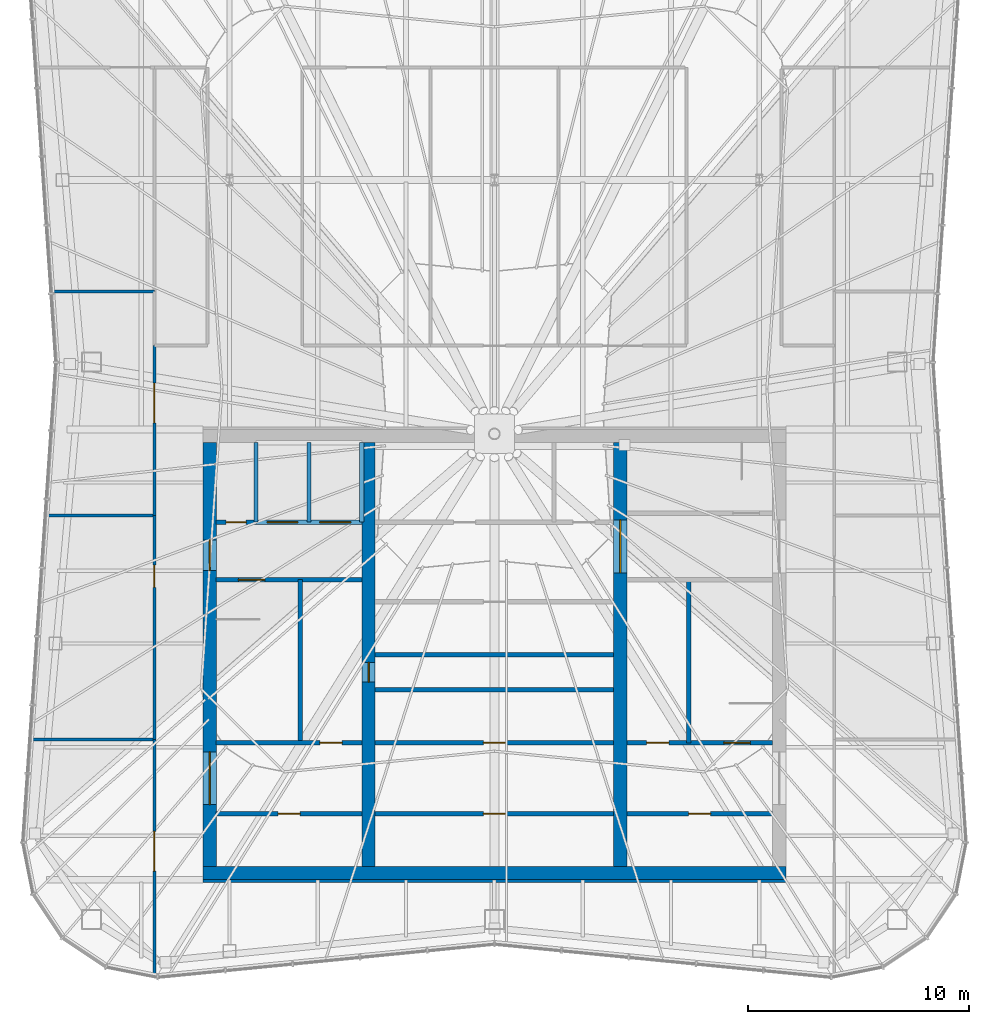
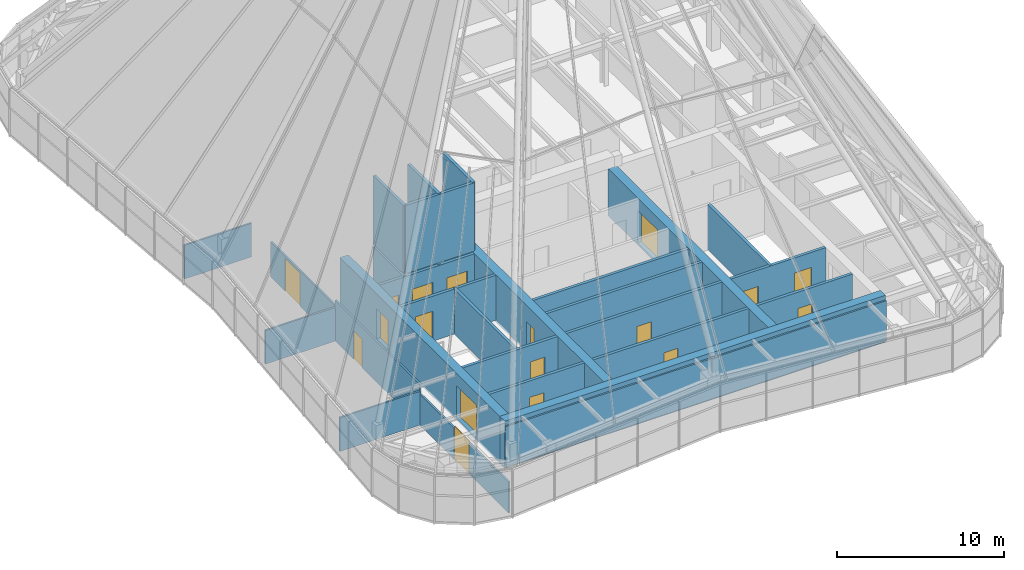
# One storey, part 24 of 28: 29 walls, 18 doors, 18 openings.
"""IFC4 building model written with IfcOpenShell, lengths in metres."""

import ifcopenshell
import ifcopenshell.guid

model = None  # the IFC model being written
_history = None  # IfcOwnerHistory: only IFC2X3 demands one
_inside = {}  # id of a spatial element -> (the spatial element, [elements in it])
_under = {}  # id of a project, library or spatial element -> (it, [spatial elements below it])
_declared = {}  # id of a project -> (the project, [libraries it declares])
_typed = {}  # id of a type object -> (the type object, [elements of that type])
_made_of = {}  # id of a material, layer set ... -> (it, [elements and type objects made of it])


def new_model(schema):
    """Start an empty IFC model of exactly this schema.

    Asked for "IFC4X3", IfcOpenShell would pick the latest addendum, in which some entities
    have other attributes; the version numbers below select the first issue.
    IFC2X3 requires an IfcOwnerHistory on every rooted entity: one is made here for all.
    """
    global model, _history
    if schema == "IFC4X3":
        model = ifcopenshell.file(schema_version=(4, 3, 0, 0))
    else:
        model = ifcopenshell.file(schema=schema)
    _inside.clear()
    _under.clear()
    _declared.clear()
    _typed.clear()
    _made_of.clear()
    _history = None
    if model.schema == "IFC2X3":
        org = make("IfcOrganization", Name="unknown")
        user = make(
            "IfcPersonAndOrganization",
            ThePerson=make("IfcPerson", FamilyName="unknown"),
            TheOrganization=org,
        )
        app = make(
            "IfcApplication",
            ApplicationDeveloper=org,
            Version="unknown",
            ApplicationFullName="unknown",
            ApplicationIdentifier="unknown",
        )
        _history = make(
            "IfcOwnerHistory",
            OwningUser=user,
            OwningApplication=app,
            ChangeAction="ADDED",
            CreationDate=0,
        )
    return model


def make(cls, **values):
    """One entity of the class cls with the attributes given. An attribute that is None is left unset."""
    return model.create_entity(
        cls, **{name: value for name, value in values.items() if value is not None}
    )


def rooted(cls, **values):
    """An entity with a GlobalId (a new one), such as an element, a storey or a relation."""
    return make(cls, GlobalId=ifcopenshell.guid.new(), OwnerHistory=_history, **values)


def si_unit(unit_type, name, prefix=None):
    """IfcSIUnit, for example si_unit("LENGTHUNIT", "METRE", prefix="MILLI")."""
    return make("IfcSIUnit", UnitType=unit_type, Prefix=prefix, Name=name)


def assignment(units):
    """IfcUnitAssignment: the units of a project."""
    return None if units is None else make("IfcUnitAssignment", Units=units)


def point(xyz):
    """IfcCartesianPoint."""
    return None if xyz is None else make("IfcCartesianPoint", Coordinates=xyz)


def direction(xyz):
    """IfcDirection."""
    return None if xyz is None else make("IfcDirection", DirectionRatios=xyz)


def frame(location, z_axis=None, x_axis=None):
    """IfcAxis2Placement3D, a coordinate frame: its origin and axes. An axis left out is left unset."""
    return make(
        "IfcAxis2Placement3D",
        Location=point(location),
        Axis=direction(z_axis),
        RefDirection=direction(x_axis),
    )


def frame_2d(location, x_axis=None):
    """IfcAxis2Placement2D, a coordinate frame in the plane: its origin and x axis."""
    return make(
        "IfcAxis2Placement2D", Location=point(location), RefDirection=direction(x_axis)
    )


def origin():
    """The frame at (0, 0, 0) with its axes left unset."""
    return frame((0.0, 0.0, 0.0))


def place(relative_to, where):
    """IfcLocalPlacement: puts the frame where relative to a parent placement (None: the world)."""
    return make(
        "IfcLocalPlacement", PlacementRelTo=relative_to, RelativePlacement=where
    )


def context(
    kind, dimensions, precision=None, world=None, true_north=None, identifier=None
):
    """IfcGeometricRepresentationContext, for example the 3D "Model" context."""
    return make(
        "IfcGeometricRepresentationContext",
        ContextIdentifier=identifier,
        ContextType=kind,
        CoordinateSpaceDimension=dimensions,
        Precision=precision,
        WorldCoordinateSystem=world,
        TrueNorth=true_north,
    )


def subcontext(parent, identifier, kind, view, scale=None):
    """IfcGeometricRepresentationSubContext, for example "Body" below "Model"."""
    return make(
        "IfcGeometricRepresentationSubContext",
        ContextIdentifier=identifier,
        ContextType=kind,
        ParentContext=parent,
        TargetScale=scale,
        TargetView=view,
    )


def project(units=None, contexts=None):
    """IfcProject with its units and contexts."""
    return rooted(
        "IfcProject",
        Name="project",
        RepresentationContexts=contexts,
        UnitsInContext=assignment(units),
    )


def spatial(cls, under=None, at=None, **own):
    """A site, building, storey or space (cls), placed at a placement, below another one or the project."""
    s = rooted(cls, ObjectPlacement=at, **own)
    if under is not None:
        _under.setdefault(under.id(), (under, []))[1].append(s)
    return s


def profile(cls, at=None, kind="AREA", **sizes):
    """A parametric profile (cls). Its sizes go by their IFC names, for example OverallWidth=200.0."""
    return make(cls, ProfileType=kind, Position=at, **sizes)


def rectangle(**sizes):
    """IfcRectangleProfileDef."""
    return profile("IfcRectangleProfileDef", **sizes)


def extrude(swept, where, along, depth):
    """IfcExtrudedAreaSolid: the profile swept, set in the frame where, extruded along a direction by depth."""
    return make(
        "IfcExtrudedAreaSolid",
        SweptArea=swept,
        Position=where,
        ExtrudedDirection=direction(along),
        Depth=depth,
    )


def shape(context_of_items, identifier, shape_type, items):
    """IfcShapeRepresentation: the items that make up one representation, for example the "Body"."""
    return make(
        "IfcShapeRepresentation",
        ContextOfItems=context_of_items,
        RepresentationIdentifier=identifier,
        RepresentationType=shape_type,
        Items=items,
    )


def material(Name=None, Category=None):
    """IfcMaterial."""
    return make("IfcMaterial", Name=Name, Category=Category)


def layer(
    of_material, thickness, ventilated=None, Name=None, Category=None, Priority=None
):
    """IfcMaterialLayer: one layer of a wall or slab, of a material (None: an air gap)."""
    return make(
        "IfcMaterialLayer",
        Material=of_material,
        LayerThickness=thickness,
        IsVentilated=ventilated,
        Name=Name,
        Category=Category,
        Priority=Priority,
    )


def layer_set(layers, Name=None):
    """IfcMaterialLayerSet."""
    return make("IfcMaterialLayerSet", MaterialLayers=layers, LayerSetName=Name)


def made_of(thing, what):
    """Note that an element or type object is made of a material, layer set ...; save() writes the relation."""
    if what is not None:
        _made_of.setdefault(what.id(), (what, []))[1].append(thing)
    return thing


def type_object(cls, material=None, **own):
    """A type object (cls), such as IfcWallType, which elements share."""
    return made_of(rooted(cls, **own), material)


def element(
    cls,
    number,
    at=None,
    inside=None,
    cuts=None,
    type_object=None,
    material=None,
    context=None,
    identifier="Body",
    shape_type=None,
    held_by="IfcProductDefinitionShape",
    body=None,
    shapes=None,
    **own,
):
    """One element of the class cls, such as IfcWall. Its Tag is "e" and its number.

    at: its placement. inside: the storey or other place that contains it. cuts: it is an
    opening in that element (IfcRelVoidsElement). A single representation is given by context,
    identifier, shape_type and body (its items); several are given by shapes. held_by: the class
    of the entity that holds the representations. save() writes the other relations.
    """
    e = rooted(cls, Tag="e%d" % number, ObjectPlacement=at, **own)
    if body is not None:
        shapes = [shape(context, identifier, shape_type, body)]
    if shapes is not None:
        e.Representation = make(held_by, Representations=shapes)
    if inside is not None:
        _inside.setdefault(inside.id(), (inside, []))[1].append(e)
    if cuts is not None:
        rooted(
            "IfcRelVoidsElement", RelatingBuildingElement=cuts, RelatedOpeningElement=e
        )
    if type_object is not None:
        _typed.setdefault(type_object.id(), (type_object, []))[1].append(e)
    return made_of(e, material)


def fill(opening, filler):
    """IfcRelFillsElement: the door or window that sits in an opening."""
    return rooted(
        "IfcRelFillsElement",
        RelatingOpeningElement=opening,
        RelatedBuildingElement=filler,
    )


def aggregate(whole, parts):
    """IfcRelAggregates: a whole, such as a stair, and the parts it consists of."""
    return rooted("IfcRelAggregates", RelatingObject=whole, RelatedObjects=parts)


def save(model, path):
    """Write the relations noted so far, then the file.

    IfcRelAggregates (storeys below a building ...), IfcRelContainedInSpatialStructure (elements
    in a storey), IfcRelDefinesByType, IfcRelAssociatesMaterial and IfcRelDeclares: one each for
    every whole, place, type object, material and project.
    """
    for whole, parts in _under.values():
        aggregate(whole, parts)
    for where, things in _inside.values():
        rooted(
            "IfcRelContainedInSpatialStructure",
            RelatedElements=things,
            RelatingStructure=where,
        )
    for kind, things in _typed.values():
        rooted("IfcRelDefinesByType", RelatedObjects=things, RelatingType=kind)
    for what, things in _made_of.values():
        rooted("IfcRelAssociatesMaterial", RelatedObjects=things, RelatingMaterial=what)
    for by, libraries in _declared.values():
        rooted("IfcRelDeclares", RelatingContext=by, RelatedDefinitions=libraries)
    model.write(path)


model = new_model("IFC4")

# Units and contexts
model_context = context("Model", 3, precision=1e-05, world=origin(), true_north=direction((0.0, 1.0)))
body_context = subcontext(model_context, "Body", "Model", "MODEL_VIEW")
ifc_project = project(units=[si_unit("LENGTHUNIT", "METRE"), si_unit("AREAUNIT", "SQUARE_METRE"), si_unit("VOLUMEUNIT", "CUBIC_METRE"), si_unit("PLANEANGLEUNIT", "RADIAN"), si_unit("MASSUNIT", "GRAM", prefix="KILO")], contexts=[model_context])

# Site, building, storey
site_placement = place(None, origin())
site = spatial("IfcSite", under=ifc_project, at=site_placement, CompositionType="ELEMENT")
building_placement = place(site_placement, origin())
building = spatial("IfcBuilding", under=site, at=building_placement, Name="Verdant Reach Tower", CompositionType="ELEMENT")
storey_placement = place(building_placement, frame((0.0, 0.0, 368.0)))
storey = spatial("IfcBuildingStorey", under=building, at=storey_placement, Name="L83 Crown plant", CompositionType="ELEMENT", Elevation=368.0)

# Wall, opening, door
ifc_material_1 = material(Name="Gypsum board on steel studs", Category="steel")
ifc_layer_1 = layer(ifc_material_1, 0.199951171875)
ifc_layer_set_1 = layer_set([ifc_layer_1], Name="CO-WALL-ROOM")
wall_type_1 = type_object("IfcWallType", Name="CO-WALL-ROOM", PredefinedType="PARTITIONING", material=ifc_layer_set_1)
wall_1_placement = place(storey_placement, frame((-12.60009765625, 20.800048828125, 0.0), z_axis=(0.0, 0.0, 1.0), x_axis=(1.0, 0.0, 0.0)))
wall_1 = element("IfcWall", 1, at=wall_1_placement, inside=storey, type_object=wall_type_1, Name="Core partition, L83 Crown plant", PredefinedType="PARTITIONING", context=body_context, shape_type="SweptSolid", body=[
    extrude(rectangle(XDim=6.60009765625, YDim=0.199951171875, at=frame_2d((3.300048828125, 0.0))), origin(), (0.0, 0.0, 1.0), 3.300048828125),
])
opening_1_placement = place(wall_1_placement, frame((2.800048828125, 0.0, 0.0)))
opening_1 = element("IfcOpeningElement", 2, at=opening_1_placement, cuts=wall_1, Name="Opening CD", PredefinedType="OPENING", context=body_context, shape_type="SweptSolid", body=[
    extrude(rectangle(XDim=1.0, YDim=2.10009765625, at=frame_2d((0.5, 1.050048828125))), frame((0.0, 0.10986328125, 0.0), z_axis=(0.0, -1.0, 0.0), x_axis=(1.0, 0.0, 0.0)), (0.0, 0.0, 1.0), 0.219970703125),
])
ifc_material_2 = material(Name="Timber", Category="wood")
door_type_1 = type_object("IfcDoorType", Name="CO-DOOR-ROOM", OperationType="NOTDEFINED", PredefinedType="DOOR", material=ifc_material_2)
door_1_placement = place(opening_1_placement, origin())
door_1 = element("IfcDoor", 3, at=door_1_placement, inside=storey, type_object=door_type_1, Name="Core room door, L83 Crown plant", OperationType="SINGLE_SWING_RIGHT", OverallHeight=2.10009765625, OverallWidth=1.0, PredefinedType="DOOR", context=body_context, shape_type="SweptSolid", body=[
    extrude(rectangle(XDim=1.0, YDim=2.10009765625, at=frame_2d((0.5, 1.050048828125))), frame((0.0, 0.02490234375, 0.0), z_axis=(0.0, -1.0, 0.0), x_axis=(1.0, 0.0, 0.0)), (0.0, 0.0, 1.0), 0.050048828125),
])
fill(opening_1, door_1)

wall_2_placement = place(storey_placement, frame((-5.39990234375, 20.800048828125, 0.0), z_axis=(0.0, 0.0, 1.0), x_axis=(1.0, 0.0, 0.0)))
wall_2 = element("IfcWall", 4, at=wall_2_placement, inside=storey, type_object=wall_type_1, Name="Core partition, L83 Crown plant", PredefinedType="PARTITIONING", context=body_context, shape_type="SweptSolid", body=[
    extrude(rectangle(XDim=10.7998046875, YDim=0.199951171875, at=frame_2d((5.39990234375, 0.0))), origin(), (0.0, 0.0, 1.0), 3.300048828125),
])
opening_2_placement = place(wall_2_placement, frame((4.89990234375, 0.0, 0.0)))
opening_2 = element("IfcOpeningElement", 5, at=opening_2_placement, cuts=wall_2, Name="Opening CD", PredefinedType="OPENING", context=body_context, shape_type="SweptSolid", body=[
    extrude(rectangle(XDim=1.0, YDim=2.10009765625, at=frame_2d((0.5, 1.050048828125))), frame((0.0, 0.10986328125, 0.0), z_axis=(0.0, -1.0, 0.0), x_axis=(1.0, 0.0, 0.0)), (0.0, 0.0, 1.0), 0.219970703125),
])
door_2_placement = place(opening_2_placement, origin())
door_2 = element("IfcDoor", 6, at=door_2_placement, inside=storey, type_object=door_type_1, Name="Core room door, L83 Crown plant", OperationType="SINGLE_SWING_LEFT", OverallHeight=2.10009765625, OverallWidth=1.0, PredefinedType="DOOR", context=body_context, shape_type="SweptSolid", body=[
    extrude(rectangle(XDim=1.0, YDim=2.10009765625, at=frame_2d((0.5, 1.050048828125))), frame((0.0, 0.02490234375, 0.0), z_axis=(0.0, -1.0, 0.0), x_axis=(1.0, 0.0, 0.0)), (0.0, 0.0, 1.0), 0.050048828125),
])
fill(opening_2, door_2)

wall_3_placement = place(storey_placement, frame((6.0, 20.800048828125, 0.0), z_axis=(0.0, 0.0, 1.0), x_axis=(1.0, 0.0, 0.0)))
wall_3 = element("IfcWall", 7, at=wall_3_placement, inside=storey, type_object=wall_type_1, Name="Core partition, L83 Crown plant", PredefinedType="PARTITIONING", context=body_context, shape_type="SweptSolid", body=[
    extrude(rectangle(XDim=6.60009765625, YDim=0.199951171875, at=frame_2d((3.300048828125, 0.0))), origin(), (0.0, 0.0, 1.0), 3.300048828125),
])
opening_3_placement = place(wall_3_placement, frame((2.800048828125, 0.0, 0.0)))
opening_3 = element("IfcOpeningElement", 8, at=opening_3_placement, cuts=wall_3, Name="Opening CD", PredefinedType="OPENING", context=body_context, shape_type="SweptSolid", body=[
    extrude(rectangle(XDim=1.0, YDim=2.10009765625, at=frame_2d((0.5, 1.050048828125))), frame((0.0, 0.10986328125, 0.0), z_axis=(0.0, -1.0, 0.0), x_axis=(1.0, 0.0, 0.0)), (0.0, 0.0, 1.0), 0.219970703125),
])
door_3_placement = place(opening_3_placement, origin())
door_3 = element("IfcDoor", 9, at=door_3_placement, inside=storey, type_object=door_type_1, Name="Core room door, L83 Crown plant", OperationType="SINGLE_SWING_LEFT", OverallHeight=2.10009765625, OverallWidth=1.0, PredefinedType="DOOR", context=body_context, shape_type="SweptSolid", body=[
    extrude(rectangle(XDim=1.0, YDim=2.10009765625, at=frame_2d((0.5, 1.050048828125))), frame((0.0, 0.02490234375, 0.0), z_axis=(0.0, -1.0, 0.0), x_axis=(1.0, 0.0, 0.0)), (0.0, 0.0, 1.0), 0.050048828125),
])
fill(opening_3, door_3)

wall_4_placement = place(storey_placement, frame((-5.39990234375, 24.0, 0.0), z_axis=(0.0, 0.0, 1.0), x_axis=(1.0, 0.0, 0.0)))
wall_4 = element("IfcWall", 10, at=wall_4_placement, inside=storey, type_object=wall_type_1, Name="Core partition, L83 Crown plant", PredefinedType="PARTITIONING", context=body_context, shape_type="SweptSolid", body=[
    extrude(rectangle(XDim=10.7998046875, YDim=0.199951171875, at=frame_2d((5.39990234375, 0.0))), origin(), (0.0, 0.0, 1.0), 3.300048828125),
])
opening_4_placement = place(wall_4_placement, frame((4.89990234375, 0.0, 0.0)))
opening_4 = element("IfcOpeningElement", 11, at=opening_4_placement, cuts=wall_4, Name="Opening CD", PredefinedType="OPENING", context=body_context, shape_type="SweptSolid", body=[
    extrude(rectangle(XDim=1.0, YDim=2.10009765625, at=frame_2d((0.5, 1.050048828125))), frame((0.0, 0.10986328125, 0.0), z_axis=(0.0, -1.0, 0.0), x_axis=(1.0, 0.0, 0.0)), (0.0, 0.0, 1.0), 0.219970703125),
])
door_4_placement = place(opening_4_placement, origin())
door_4 = element("IfcDoor", 12, at=door_4_placement, inside=storey, type_object=door_type_1, Name="Core room door, L83 Crown plant", OperationType="SINGLE_SWING_RIGHT", OverallHeight=2.10009765625, OverallWidth=1.0, PredefinedType="DOOR", context=body_context, shape_type="SweptSolid", body=[
    extrude(rectangle(XDim=1.0, YDim=2.10009765625, at=frame_2d((0.5, 1.050048828125))), frame((0.0, 0.02490234375, 0.0), z_axis=(0.0, -1.0, 0.0), x_axis=(1.0, 0.0, 0.0)), (0.0, 0.0, 1.0), 0.050048828125),
])
fill(opening_4, door_4)

# Walls
for number, where, z_axis, x_axis, name in (
    (13, (-5.39990234375, 26.39990234375, 0.0), (0.0, 0.0, 1.0), (1.0, 0.0, 0.0), "Core partition, L83 Crown plant"),
    (14, (-5.39990234375, 28.0, 0.0), (0.0, 0.0, 1.0), (1.0, 0.0, 0.0), "Core partition, L83 Crown plant"),
):
    element("IfcWall", number, at=place(storey_placement, frame(where, z_axis=z_axis, x_axis=x_axis)), inside=storey, type_object=wall_type_1, Name=name, PredefinedType="PARTITIONING", context=body_context, shape_type="SweptSolid", body=[
        extrude(rectangle(XDim=10.7998046875, YDim=0.199951171875, at=frame_2d((5.39990234375, 0.0))), origin(), (0.0, 0.0, 1.0), 3.300048828125),
    ])

# Wall, openings, doors
ifc_material_3 = material(Name="Concrete C40/50", Category="concrete")
ifc_layer_2 = layer(ifc_material_3, 0.199951171875)
ifc_layer_set_2 = layer_set([ifc_layer_2], Name="CO-WALL-SHAFT")
wall_type_2 = type_object("IfcWallType", Name="CO-WALL-SHAFT", PredefinedType="PARTITIONING", material=ifc_layer_set_2)
wall_5_placement = place(storey_placement, frame((-12.60009765625, 34.0, 0.0), z_axis=(0.0, 0.0, 1.0), x_axis=(1.0, 0.0, 0.0)))
wall_5 = element("IfcWall", 15, at=wall_5_placement, inside=storey, type_object=wall_type_2, Name="Lift shaft wall, L83 Crown plant", PredefinedType="PARTITIONING", context=body_context, shape_type="SweptSolid", body=[
    extrude(rectangle(XDim=6.60009765625, YDim=0.199951171875, at=frame_2d((3.300048828125, 0.0))), origin(), (0.0, 0.0, 1.0), 3.300048828125),
])
opening_5_placement = place(wall_5_placement, frame((4.699951171875, 0.0, 0.0)))
opening_5 = element("IfcOpeningElement", 16, at=opening_5_placement, cuts=wall_5, Name="Opening LD-F1", PredefinedType="OPENING", context=body_context, shape_type="SweptSolid", body=[
    extrude(rectangle(XDim=1.39990234375, YDim=2.199951171875, at=frame_2d((0.699951171875, 1.10009765625))), frame((0.0, 0.10986328125, 0.0), z_axis=(0.0, -1.0, 0.0), x_axis=(1.0, 0.0, 0.0)), (0.0, 0.0, 1.0), 0.219970703125),
])
opening_6_placement = place(wall_5_placement, frame((2.300048828125, 0.0, 0.0)))
opening_6 = element("IfcOpeningElement", 17, at=opening_6_placement, cuts=wall_5, Name="Opening LD-F2", PredefinedType="OPENING", context=body_context, shape_type="SweptSolid", body=[
    extrude(rectangle(XDim=1.39990234375, YDim=2.199951171875, at=frame_2d((0.699951171875, 1.10009765625))), frame((0.0, 0.10986328125, 0.0), z_axis=(0.0, -1.0, 0.0), x_axis=(1.0, 0.0, 0.0)), (0.0, 0.0, 1.0), 0.219970703125),
])
opening_7_placement = place(wall_5_placement, frame((0.449951171875, 0.0, 0.0)))
opening_7 = element("IfcOpeningElement", 18, at=opening_7_placement, cuts=wall_5, Name="Opening RD", PredefinedType="OPENING", context=body_context, shape_type="SweptSolid", body=[
    extrude(rectangle(XDim=0.89990234375, YDim=2.10009765625, at=frame_2d((0.449951171875, 1.050048828125))), frame((0.0, 0.10986328125, 0.0), z_axis=(0.0, -1.0, 0.0), x_axis=(1.0, 0.0, 0.0)), (0.0, 0.0, 1.0), 0.219970703125),
])
ifc_material_4 = material(Name="Stainless steel", Category="steel")
door_type_2 = type_object("IfcDoorType", Name="CO-DOOR-LANDING-FF", OperationType="SLIDING_TO_LEFT", PredefinedType="DOOR", material=ifc_material_4)
door_5_placement = place(opening_5_placement, origin())
door_5 = element("IfcDoor", 19, at=door_5_placement, inside=storey, type_object=door_type_2, Name="Landing door F1, L83 Crown plant", OperationType="SLIDING_TO_LEFT", OverallHeight=2.199951171875, OverallWidth=1.39990234375, PredefinedType="DOOR", context=body_context, shape_type="SweptSolid", body=[
    extrude(rectangle(XDim=1.39990234375, YDim=2.199951171875, at=frame_2d((0.699951171875, 1.10009765625))), frame((0.0, 0.02490234375, 0.0), z_axis=(0.0, -1.0, 0.0), x_axis=(1.0, 0.0, 0.0)), (0.0, 0.0, 1.0), 0.050048828125),
])
fill(opening_5, door_5)
door_6_placement = place(opening_6_placement, origin())
door_6 = element("IfcDoor", 20, at=door_6_placement, inside=storey, type_object=door_type_2, Name="Landing door F2, L83 Crown plant", OperationType="SLIDING_TO_LEFT", OverallHeight=2.199951171875, OverallWidth=1.39990234375, PredefinedType="DOOR", context=body_context, shape_type="SweptSolid", body=[
    extrude(rectangle(XDim=1.39990234375, YDim=2.199951171875, at=frame_2d((0.699951171875, 1.10009765625))), frame((0.0, 0.02490234375, 0.0), z_axis=(0.0, -1.0, 0.0), x_axis=(1.0, 0.0, 0.0)), (0.0, 0.0, 1.0), 0.050048828125),
])
fill(opening_6, door_6)
ifc_material_5 = material(Name="Steel", Category="steel")
door_type_3 = type_object("IfcDoorType", Name="CO-DOOR-RISER", OperationType="NOTDEFINED", PredefinedType="DOOR", material=ifc_material_5)
door_7_placement = place(opening_7_placement, origin())
door_7 = element("IfcDoor", 21, at=door_7_placement, inside=storey, type_object=door_type_3, Name="Core room door, L83 Crown plant", OperationType="SINGLE_SWING_LEFT", OverallHeight=2.10009765625, OverallWidth=0.89990234375, PredefinedType="DOOR", context=body_context, shape_type="SweptSolid", body=[
    extrude(rectangle(XDim=0.89990234375, YDim=2.10009765625, at=frame_2d((0.449951171875, 1.050048828125))), frame((0.0, 0.02490234375, 0.0), z_axis=(0.0, -1.0, 0.0), x_axis=(1.0, 0.0, 0.0)), (0.0, 0.0, 1.0), 0.050048828125),
])
fill(opening_7, door_7)

# Walls
for number, where, z_axis, x_axis, name in (
    (22, (-10.800048828125, 34.0, 0.0), (0.0, 0.0, 1.0), (0.0, 1.0, 0.0), "Lift shaft wall, L83 Crown plant"),
    (23, (-8.39990234375, 34.0, 0.0), (0.0, 0.0, 1.0), (0.0, 1.0, 0.0), "Lift shaft wall, L83 Crown plant"),
):
    element("IfcWall", number, at=place(storey_placement, frame(where, z_axis=z_axis, x_axis=x_axis)), inside=storey, type_object=wall_type_2, Name=name, PredefinedType="PARTITIONING", context=body_context, shape_type="SweptSolid", body=[
        extrude(rectangle(XDim=3.60009765625, YDim=0.199951171875, at=frame_2d((1.800048828125, 0.0))), origin(), (0.0, 0.0, 1.0), 3.300048828125),
    ])
wall_6_placement = place(storey_placement, frame((-10.800048828125, 34.0, 3.5), z_axis=(0.0, 0.0, 1.0), x_axis=(1.0, 0.0, 0.0)))
element("IfcWall", 24, at=wall_6_placement, inside=storey, type_object=wall_type_2, Name="Firefighting lift overrun wall S", PredefinedType="PARTITIONING", context=body_context, shape_type="SweptSolid", body=[
    extrude(rectangle(XDim=4.800048828125, YDim=0.199951171875, at=frame_2d((2.39990234375, 0.0))), origin(), (0.0, 0.0, 1.0), 5.0),
])
for number, where, z_axis, x_axis, name in (
    (25, (-10.800048828125, 34.0, 3.5), (0.0, 0.0, 1.0), (0.0, 1.0, 0.0), "Firefighting lift overrun wall W"),
    (26, (-6.0, 34.0, 3.5), (0.0, 0.0, 1.0), (0.0, 1.0, 0.0), "Firefighting lift overrun wall E"),
    (27, (-8.39990234375, 34.0, 3.5), (0.0, 0.0, 1.0), (0.0, 1.0, 0.0), "Firefighting lift overrun wall M"),
):
    element("IfcWall", number, at=place(storey_placement, frame(where, z_axis=z_axis, x_axis=x_axis)), inside=storey, type_object=wall_type_2, Name=name, PredefinedType="PARTITIONING", context=body_context, shape_type="SweptSolid", body=[
        extrude(rectangle(XDim=3.60009765625, YDim=0.199951171875, at=frame_2d((1.800048828125, 0.0))), origin(), (0.0, 0.0, 1.0), 5.0),
    ])

# Wall, opening, door
ifc_layer_3 = layer(ifc_material_3, 0.199951171875)
ifc_layer_set_3 = layer_set([ifc_layer_3], Name="CO-WALL-STAIR")
wall_type_3 = type_object("IfcWallType", Name="CO-WALL-STAIR", PredefinedType="PARTITIONING", material=ifc_layer_set_3)
wall_7_placement = place(storey_placement, frame((-12.60009765625, 24.0, 0.0), z_axis=(0.0, 0.0, 1.0), x_axis=(1.0, 0.0, 0.0)))
wall_7 = element("IfcWall", 28, at=wall_7_placement, inside=storey, type_object=wall_type_3, Name="Stair enclosure wall, L83 Crown plant", PredefinedType="PARTITIONING", context=body_context, shape_type="SweptSolid", body=[
    extrude(rectangle(XDim=6.60009765625, YDim=0.199951171875, at=frame_2d((3.300048828125, 0.0))), origin(), (0.0, 0.0, 1.0), 3.300048828125),
])
opening_8_placement = place(wall_7_placement, frame((4.699951171875, 0.0, 0.0)))
opening_8 = element("IfcOpeningElement", 29, at=opening_8_placement, cuts=wall_7, Name="Opening CD", PredefinedType="OPENING", context=body_context, shape_type="SweptSolid", body=[
    extrude(rectangle(XDim=1.0, YDim=2.10009765625, at=frame_2d((0.5, 1.050048828125))), frame((0.0, 0.10986328125, 0.0), z_axis=(0.0, -1.0, 0.0), x_axis=(1.0, 0.0, 0.0)), (0.0, 0.0, 1.0), 0.219970703125),
])
door_8_placement = place(opening_8_placement, origin())
door_8 = element("IfcDoor", 30, at=door_8_placement, inside=storey, type_object=door_type_1, Name="Core room door, L83 Crown plant", OperationType="SINGLE_SWING_LEFT", OverallHeight=2.10009765625, OverallWidth=1.0, PredefinedType="DOOR", context=body_context, shape_type="SweptSolid", body=[
    extrude(rectangle(XDim=1.0, YDim=2.10009765625, at=frame_2d((0.5, 1.050048828125))), frame((0.0, 0.02490234375, 0.0), z_axis=(0.0, -1.0, 0.0), x_axis=(1.0, 0.0, 0.0)), (0.0, 0.0, 1.0), 0.050048828125),
])
fill(opening_8, door_8)

# Wall, openings, doors
wall_8_placement = place(storey_placement, frame((6.0, 24.0, 0.0), z_axis=(0.0, 0.0, 1.0), x_axis=(1.0, 0.0, 0.0)))
wall_8 = element("IfcWall", 31, at=wall_8_placement, inside=storey, type_object=wall_type_3, Name="Stair enclosure wall, L83 Crown plant", PredefinedType="PARTITIONING", context=body_context, shape_type="SweptSolid", body=[
    extrude(rectangle(XDim=6.60009765625, YDim=0.199951171875, at=frame_2d((3.300048828125, 0.0))), origin(), (0.0, 0.0, 1.0), 3.300048828125),
])
opening_9_placement = place(wall_8_placement, frame((0.89990234375, 0.0, 0.0)))
opening_9 = element("IfcOpeningElement", 32, at=opening_9_placement, cuts=wall_8, Name="Opening CD", PredefinedType="OPENING", context=body_context, shape_type="SweptSolid", body=[
    extrude(rectangle(XDim=1.0, YDim=2.10009765625, at=frame_2d((0.5, 1.050048828125))), frame((0.0, 0.10986328125, 0.0), z_axis=(0.0, -1.0, 0.0), x_axis=(1.0, 0.0, 0.0)), (0.0, 0.0, 1.0), 0.219970703125),
])
opening_10_placement = place(wall_8_placement, frame((4.39990234375, 0.0, 0.0)))
opening_10 = element("IfcOpeningElement", 33, at=opening_10_placement, cuts=wall_8, Name="Opening SD", PredefinedType="OPENING", context=body_context, shape_type="SweptSolid", body=[
    extrude(rectangle(XDim=1.199951171875, YDim=2.199951171875, at=frame_2d((0.60009765625, 1.10009765625))), frame((0.0, 0.10986328125, 0.0), z_axis=(0.0, -1.0, 0.0), x_axis=(1.0, 0.0, 0.0)), (0.0, 0.0, 1.0), 0.219970703125),
])
door_9_placement = place(opening_9_placement, origin())
door_9 = element("IfcDoor", 34, at=door_9_placement, inside=storey, type_object=door_type_1, Name="Core room door, L83 Crown plant", OperationType="SINGLE_SWING_RIGHT", OverallHeight=2.10009765625, OverallWidth=1.0, PredefinedType="DOOR", context=body_context, shape_type="SweptSolid", body=[
    extrude(rectangle(XDim=1.0, YDim=2.10009765625, at=frame_2d((0.5, 1.050048828125))), frame((0.0, 0.02490234375, 0.0), z_axis=(0.0, -1.0, 0.0), x_axis=(1.0, 0.0, 0.0)), (0.0, 0.0, 1.0), 0.050048828125),
])
fill(opening_9, door_9)
door_type_4 = type_object("IfcDoorType", Name="CO-DOOR-STAIR", OperationType="NOTDEFINED", PredefinedType="DOOR", material=ifc_material_5)
door_10_placement = place(opening_10_placement, origin())
door_10 = element("IfcDoor", 35, at=door_10_placement, inside=storey, type_object=door_type_4, Name="Stair door, L83 Crown plant", OperationType="SINGLE_SWING_RIGHT", OverallHeight=2.199951171875, OverallWidth=1.199951171875, PredefinedType="DOOR", context=body_context, shape_type="SweptSolid", body=[
    extrude(rectangle(XDim=1.199951171875, YDim=2.199951171875, at=frame_2d((0.60009765625, 1.10009765625))), frame((0.0, 0.02490234375, 0.0), z_axis=(0.0, -1.0, 0.0), x_axis=(1.0, 0.0, 0.0)), (0.0, 0.0, 1.0), 0.050048828125),
])
fill(opening_10, door_10)

# Wall, opening, door
wall_9_placement = place(storey_placement, frame((-12.60009765625, 31.39990234375, 0.0), z_axis=(0.0, 0.0, 1.0), x_axis=(1.0, 0.0, 0.0)))
wall_9 = element("IfcWall", 36, at=wall_9_placement, inside=storey, type_object=wall_type_3, Name="Stair enclosure wall, L83 Crown plant", PredefinedType="PARTITIONING", context=body_context, shape_type="SweptSolid", body=[
    extrude(rectangle(XDim=6.60009765625, YDim=0.199951171875, at=frame_2d((3.300048828125, 0.0))), origin(), (0.0, 0.0, 1.0), 3.300048828125),
])
opening_11_placement = place(wall_9_placement, frame((1.0, 0.0, 0.0)))
opening_11 = element("IfcOpeningElement", 37, at=opening_11_placement, cuts=wall_9, Name="Opening SD", PredefinedType="OPENING", context=body_context, shape_type="SweptSolid", body=[
    extrude(rectangle(XDim=1.199951171875, YDim=2.199951171875, at=frame_2d((0.60009765625, 1.10009765625))), frame((0.0, 0.10986328125, 0.0), z_axis=(0.0, -1.0, 0.0), x_axis=(1.0, 0.0, 0.0)), (0.0, 0.0, 1.0), 0.219970703125),
])
door_11_placement = place(opening_11_placement, origin())
door_11 = element("IfcDoor", 38, at=door_11_placement, inside=storey, type_object=door_type_4, Name="Stair door, L83 Crown plant", OperationType="SINGLE_SWING_LEFT", OverallHeight=2.199951171875, OverallWidth=1.199951171875, PredefinedType="DOOR", context=body_context, shape_type="SweptSolid", body=[
    extrude(rectangle(XDim=1.199951171875, YDim=2.199951171875, at=frame_2d((0.60009765625, 1.10009765625))), frame((0.0, 0.02490234375, 0.0), z_axis=(0.0, -1.0, 0.0), x_axis=(1.0, 0.0, 0.0)), (0.0, 0.0, 1.0), 0.050048828125),
])
fill(opening_11, door_11)

# Walls
for number, where, z_axis, x_axis, name in (
    (39, (-8.800048828125, 24.0, 0.0), (0.0, 0.0, 1.0), (0.0, 1.0, 0.0), "Stair enclosure wall, L83 Crown plant"),
    (40, (8.800048828125, 24.0, 0.0), (0.0, 0.0, 1.0), (0.0, 1.0, 0.0), "Stair enclosure wall, L83 Crown plant"),
):
    element("IfcWall", number, at=place(storey_placement, frame(where, z_axis=z_axis, x_axis=x_axis)), inside=storey, type_object=wall_type_3, Name=name, PredefinedType="PARTITIONING", context=body_context, shape_type="SweptSolid", body=[
        extrude(rectangle(XDim=7.39990234375, YDim=0.199951171875, at=frame_2d((3.699951171875, 0.0))), origin(), (0.0, 0.0, 1.0), 3.300048828125),
    ])
ifc_material_6 = material(Name="Concrete C70/85", Category="concrete")
ifc_layer_4 = layer(ifc_material_6, 0.60009765625)
ifc_layer_set_4 = layer_set([ifc_layer_4], Name="ST-CORE-WALL-600")
wall_type_4 = type_object("IfcWallType", Name="ST-CORE-WALL-600", PredefinedType="SHEAR", material=ifc_layer_set_4)
wall_10_placement = place(storey_placement, frame((-13.199951171875, 18.10009765625, -0.14990234375), z_axis=(0.0, 0.0, 1.0), x_axis=(1.0, 0.0, 0.0)))
element("IfcWall", 41, at=wall_10_placement, inside=storey, type_object=wall_type_4, Name="Core wall S, L83 Crown plant", PredefinedType="SHEAR", context=body_context, shape_type="SweptSolid", body=[
    extrude(rectangle(XDim=26.39990234375, YDim=0.60009765625, at=frame_2d((13.199951171875, 0.0))), origin(), (0.0, 0.0, 1.0), 3.449951171875),
])

# Wall, openings, doors
wall_11_placement = place(storey_placement, frame((-12.89990234375, 18.39990234375, -0.14990234375), z_axis=(0.0, 0.0, 1.0), x_axis=(0.0, 1.0, 0.0)))
wall_11 = element("IfcWall", 42, at=wall_11_placement, inside=storey, type_object=wall_type_4, Name="Core wall W, L83 Crown plant", PredefinedType="SHEAR", context=body_context, shape_type="SweptSolid", body=[
    extrude(rectangle(XDim=19.2001953125, YDim=0.60009765625, at=frame_2d((9.60009765625, 0.0))), origin(), (0.0, 0.0, 1.0), 3.449951171875),
])
opening_12_placement = place(wall_11_placement, frame((2.800048828125, 0.0, 0.14990234375)))
opening_12 = element("IfcOpeningElement", 43, at=opening_12_placement, cuts=wall_11, Name="Opening LB", PredefinedType="OPENING", context=body_context, shape_type="SweptSolid", body=[
    extrude(rectangle(XDim=2.39990234375, YDim=2.39990234375, at=frame_2d((1.199951171875, 1.199951171875))), frame((0.0, 0.31005859375, 0.0), z_axis=(0.0, -1.0, 0.0), x_axis=(1.0, 0.0, 0.0)), (0.0, 0.0, 1.0), 0.6201171875),
])
opening_13_placement = place(wall_11_placement, frame((13.39990234375, 0.0, 0.14990234375)))
opening_13 = element("IfcOpeningElement", 44, at=opening_13_placement, cuts=wall_11, Name="Opening FL", PredefinedType="OPENING", context=body_context, shape_type="SweptSolid", body=[
    extrude(rectangle(XDim=1.39990234375, YDim=2.199951171875, at=frame_2d((0.699951171875, 1.10009765625))), frame((0.0, 0.31005859375, 0.0), z_axis=(0.0, -1.0, 0.0), x_axis=(1.0, 0.0, 0.0)), (0.0, 0.0, 1.0), 0.6201171875),
])
door_type_5 = type_object("IfcDoorType", Name="CO-DOOR-FFL", OperationType="NOTDEFINED", PredefinedType="DOOR", material=ifc_material_5)
door_12_placement = place(opening_13_placement, origin())
door_12 = element("IfcDoor", 45, at=door_12_placement, inside=storey, type_object=door_type_5, Name="Core entrance door, L83 Crown plant", OperationType="SINGLE_SWING_LEFT", OverallHeight=2.199951171875, OverallWidth=1.39990234375, PredefinedType="DOOR", context=body_context, shape_type="SweptSolid", body=[
    extrude(rectangle(XDim=1.39990234375, YDim=2.199951171875, at=frame_2d((0.699951171875, 1.10009765625))), frame((0.0, 0.02490234375, 0.0), z_axis=(0.0, -1.0, 0.0), x_axis=(1.0, 0.0, 0.0)), (0.0, 0.0, 1.0), 0.050048828125),
])
fill(opening_13, door_12)
ifc_material_7 = material(Name="Glass and steel", Category="steel")
door_type_6 = type_object("IfcDoorType", Name="CO-DOOR-LOBBY", OperationType="DOUBLE_DOOR_SINGLE_SWING", PredefinedType="DOOR", material=ifc_material_7)
door_13_placement = place(opening_12_placement, origin())
door_13 = element("IfcDoor", 46, at=door_13_placement, inside=storey, type_object=door_type_6, Name="Core entrance door, L83 Crown plant", OperationType="DOUBLE_DOOR_SINGLE_SWING", OverallHeight=2.39990234375, OverallWidth=2.39990234375, PredefinedType="DOOR", context=body_context, shape_type="SweptSolid", body=[
    extrude(rectangle(XDim=2.39990234375, YDim=2.39990234375, at=frame_2d((1.199951171875, 1.199951171875))), frame((0.0, 0.02490234375, 0.0), z_axis=(0.0, -1.0, 0.0), x_axis=(1.0, 0.0, 0.0)), (0.0, 0.0, 1.0), 0.050048828125),
])
fill(opening_12, door_13)

# Wall, opening, door
wall_12_placement = place(storey_placement, frame((-5.699951171875, 18.39990234375, -0.14990234375), z_axis=(0.0, 0.0, 1.0), x_axis=(0.0, 1.0, 0.0)))
wall_12 = element("IfcWall", 47, at=wall_12_placement, inside=storey, type_object=wall_type_4, Name="Core wall XW, L83 Crown plant", PredefinedType="SHEAR", context=body_context, shape_type="SweptSolid", body=[
    extrude(rectangle(XDim=19.2001953125, YDim=0.60009765625, at=frame_2d((9.60009765625, 0.0))), origin(), (0.0, 0.0, 1.0), 3.449951171875),
])
opening_14_placement = place(wall_12_placement, frame((8.35009765625, 0.0, 0.14990234375)))
opening_14 = element("IfcOpeningElement", 48, at=opening_14_placement, cuts=wall_12, Name="Opening RD", PredefinedType="OPENING", context=body_context, shape_type="SweptSolid", body=[
    extrude(rectangle(XDim=0.89990234375, YDim=2.10009765625, at=frame_2d((0.449951171875, 1.050048828125))), frame((0.0, 0.31005859375, 0.0), z_axis=(0.0, -1.0, 0.0), x_axis=(1.0, 0.0, 0.0)), (0.0, 0.0, 1.0), 0.6201171875),
])
door_14_placement = place(opening_14_placement, origin())
door_14 = element("IfcDoor", 49, at=door_14_placement, inside=storey, type_object=door_type_3, Name="Riser door, L83 Crown plant", OperationType="SINGLE_SWING_LEFT", OverallHeight=2.10009765625, OverallWidth=0.89990234375, PredefinedType="DOOR", context=body_context, shape_type="SweptSolid", body=[
    extrude(rectangle(XDim=0.89990234375, YDim=2.10009765625, at=frame_2d((0.449951171875, 1.050048828125))), frame((0.0, 0.02490234375, 0.0), z_axis=(0.0, -1.0, 0.0), x_axis=(1.0, 0.0, 0.0)), (0.0, 0.0, 1.0), 0.050048828125),
])
fill(opening_14, door_14)

wall_13_placement = place(storey_placement, frame((5.699951171875, 18.39990234375, -0.14990234375), z_axis=(0.0, 0.0, 1.0), x_axis=(0.0, 1.0, 0.0)))
wall_13 = element("IfcWall", 50, at=wall_13_placement, inside=storey, type_object=wall_type_4, Name="Core wall XE, L83 Crown plant", PredefinedType="SHEAR", context=body_context, shape_type="SweptSolid", body=[
    extrude(rectangle(XDim=19.2001953125, YDim=0.60009765625, at=frame_2d((9.60009765625, 0.0))), origin(), (0.0, 0.0, 1.0), 3.449951171875),
])
opening_15_placement = place(wall_13_placement, frame((13.300048828125, 0.0, 0.14990234375)))
opening_15 = element("IfcOpeningElement", 51, at=opening_15_placement, cuts=wall_13, Name="Opening LB", PredefinedType="OPENING", context=body_context, shape_type="SweptSolid", body=[
    extrude(rectangle(XDim=2.39990234375, YDim=2.39990234375, at=frame_2d((1.199951171875, 1.199951171875))), frame((0.0, 0.31005859375, 0.0), z_axis=(0.0, -1.0, 0.0), x_axis=(1.0, 0.0, 0.0)), (0.0, 0.0, 1.0), 0.6201171875),
])
door_15_placement = place(opening_15_placement, origin())
door_15 = element("IfcDoor", 52, at=door_15_placement, inside=storey, type_object=door_type_6, Name="Core entrance door, L83 Crown plant", OperationType="DOUBLE_DOOR_SINGLE_SWING", OverallHeight=2.39990234375, OverallWidth=2.39990234375, PredefinedType="DOOR", context=body_context, shape_type="SweptSolid", body=[
    extrude(rectangle(XDim=2.39990234375, YDim=2.39990234375, at=frame_2d((1.199951171875, 1.199951171875))), frame((0.0, 0.02490234375, 0.0), z_axis=(0.0, -1.0, 0.0), x_axis=(1.0, 0.0, 0.0)), (0.0, 0.0, 1.0), 0.050048828125),
])
fill(opening_15, door_15)

ifc_material_8 = material(Name="Gypsum board on steel studs, fire rated", Category="steel")
ifc_layer_5 = layer(ifc_material_8, 0.125)
ifc_layer_set_5 = layer_set([ifc_layer_5], Name="SV-W2 Plant wall 125 EI 60")
wall_type_5 = type_object("IfcWallType", Name="SV-W2 Plant wall 125 EI 60", PredefinedType="PARTITIONING", material=ifc_layer_set_5)
wall_14_placement = place(storey_placement, frame((-15.39990234375, 24.14990234375, 0.0), z_axis=(0.0, 0.0, 1.0), x_axis=(0.0, -1.0, 0.0)))
wall_14 = element("IfcWall", 53, at=wall_14_placement, inside=storey, type_object=wall_type_5, Name="Partition L83.09", PredefinedType="PARTITIONING", context=body_context, shape_type="SweptSolid", body=[
    extrude(rectangle(XDim=10.7001953125, YDim=0.125, at=frame_2d((5.35009765625, 0.0))), origin(), (0.0, 0.0, 1.0), 2.261962890625),
])
opening_16_placement = place(wall_14_placement, frame((4.160888671875, 0.0, 0.0)))
opening_16 = element("IfcOpeningElement", 54, at=opening_16_placement, cuts=wall_14, Name="Opening SD3", PredefinedType="OPENING", context=body_context, shape_type="SweptSolid", body=[
    extrude(rectangle(XDim=1.800048828125, YDim=2.39990234375, at=frame_2d((0.89990234375, 1.199951171875))), frame((0.0, 0.072509765625, 0.0), z_axis=(0.0, -1.0, 0.0), x_axis=(1.0, 0.0, 0.0)), (0.0, 0.0, 1.0), 0.14501953125),
])
ifc_material_9 = material(Name="Steel door leaves, fire rated", Category="steel")
door_type_7 = type_object("IfcDoorType", Name="SV-D3 Equipment door 1800x2400 FD60", OperationType="DOUBLE_DOOR_SINGLE_SWING", PredefinedType="DOOR", material=ifc_material_9)
door_16_placement = place(opening_16_placement, origin())
door_16 = element("IfcDoor", 55, at=door_16_placement, inside=storey, type_object=door_type_7, Name="Door L83-004", OperationType="DOUBLE_DOOR_SINGLE_SWING", OverallHeight=2.39990234375, OverallWidth=1.800048828125, PredefinedType="DOOR", context=body_context, shape_type="SweptSolid", body=[
    extrude(rectangle(XDim=1.800048828125, YDim=2.39990234375, at=frame_2d((0.89990234375, 1.199951171875))), frame((0.0, 0.02490234375, 0.0), z_axis=(0.0, -1.0, 0.0), x_axis=(1.0, 0.0, 0.0)), (0.0, 0.0, 1.0), 0.050048828125),
])
fill(opening_16, door_16)

wall_15_placement = place(storey_placement, frame((-15.39990234375, 34.300048828125, 0.0), z_axis=(0.0, 0.0, 1.0), x_axis=(0.0, -1.0, 0.0)))
wall_15 = element("IfcWall", 56, at=wall_15_placement, inside=storey, type_object=wall_type_5, Name="Partition L83.10", PredefinedType="PARTITIONING", context=body_context, shape_type="SweptSolid", body=[
    extrude(rectangle(XDim=10.150146484375, YDim=0.125, at=frame_2d((5.0751953125, 0.0))), origin(), (0.0, 0.0, 1.0), 2.969970703125),
])
opening_17_placement = place(wall_15_placement, frame((2.25, 0.0, 0.0)))
opening_17 = element("IfcOpeningElement", 57, at=opening_17_placement, cuts=wall_15, Name="Opening SD2", PredefinedType="OPENING", context=body_context, shape_type="SweptSolid", body=[
    extrude(rectangle(XDim=1.0, YDim=2.10009765625, at=frame_2d((0.5, 1.050048828125))), frame((0.0, 0.072509765625, 0.0), z_axis=(0.0, -1.0, 0.0), x_axis=(1.0, 0.0, 0.0)), (0.0, 0.0, 1.0), 0.14501953125),
])
ifc_material_10 = material(Name="Steel door leaf, fire rated", Category="steel")
door_type_8 = type_object("IfcDoorType", Name="SV-D2 Door 1000x2100 FD60", OperationType="NOTDEFINED", PredefinedType="DOOR", material=ifc_material_10)
door_17_placement = place(opening_17_placement, origin())
door_17 = element("IfcDoor", 58, at=door_17_placement, inside=storey, type_object=door_type_8, Name="Door L83-005", OperationType="SINGLE_SWING_LEFT", OverallHeight=2.10009765625, OverallWidth=1.0, PredefinedType="DOOR", context=body_context, shape_type="SweptSolid", body=[
    extrude(rectangle(XDim=1.0, YDim=2.10009765625, at=frame_2d((0.5, 1.050048828125))), frame((0.0, 0.02490234375, 0.0), z_axis=(0.0, -1.0, 0.0), x_axis=(1.0, 0.0, 0.0)), (0.0, 0.0, 1.0), 0.050048828125),
])
fill(opening_17, door_17)

wall_16_placement = place(storey_placement, frame((-15.39990234375, 42.0, 0.0), z_axis=(0.0, 0.0, 1.0), x_axis=(0.0, -1.0, 0.0)))
wall_16 = element("IfcWall", 59, at=wall_16_placement, inside=storey, type_object=wall_type_5, Name="Partition L83.11", PredefinedType="PARTITIONING", context=body_context, shape_type="SweptSolid", body=[
    extrude(rectangle(XDim=7.699951171875, YDim=0.125, at=frame_2d((3.85009765625, 0.0))), origin(), (0.0, 0.0, 1.0), 2.570068359375),
])
opening_18_placement = place(wall_16_placement, frame((1.699951171875, 0.0, 0.0)))
opening_18 = element("IfcOpeningElement", 60, at=opening_18_placement, cuts=wall_16, Name="Opening SD3", PredefinedType="OPENING", context=body_context, shape_type="SweptSolid", body=[
    extrude(rectangle(XDim=1.800048828125, YDim=2.39990234375, at=frame_2d((0.89990234375, 1.199951171875))), frame((0.0, 0.072509765625, 0.0), z_axis=(0.0, -1.0, 0.0), x_axis=(1.0, 0.0, 0.0)), (0.0, 0.0, 1.0), 0.14501953125),
])
door_18_placement = place(opening_18_placement, origin())
door_18 = element("IfcDoor", 61, at=door_18_placement, inside=storey, type_object=door_type_7, Name="Door L83-006", OperationType="DOUBLE_DOOR_SINGLE_SWING", OverallHeight=2.39990234375, OverallWidth=1.800048828125, PredefinedType="DOOR", context=body_context, shape_type="SweptSolid", body=[
    extrude(rectangle(XDim=1.800048828125, YDim=2.39990234375, at=frame_2d((0.89990234375, 1.199951171875))), frame((0.0, 0.02490234375, 0.0), z_axis=(0.0, -1.0, 0.0), x_axis=(1.0, 0.0, 0.0)), (0.0, 0.0, 1.0), 0.050048828125),
])
fill(opening_18, door_18)

# Walls
wall_17_placement = place(storey_placement, frame((-21.00927734375, 24.14990234375, 0.0), z_axis=(0.0, 0.0, 1.0), x_axis=(1.0, 0.0, 0.0)))
element("IfcWall", 62, at=wall_17_placement, inside=storey, type_object=wall_type_5, Name="Partition L83.24", PredefinedType="PARTITIONING", context=body_context, shape_type="SweptSolid", body=[
    extrude(rectangle(XDim=5.546875, YDim=0.125, at=frame_2d((2.7734375, 0.0))), origin(), (0.0, 0.0, 1.0), 2.469970703125),
])
wall_18_placement = place(storey_placement, frame((-20.309326171875, 34.300048828125, 0.0), z_axis=(0.0, 0.0, 1.0), x_axis=(1.0, 0.0, 0.0)))
element("IfcWall", 63, at=wall_18_placement, inside=storey, type_object=wall_type_5, Name="Partition L83.25", PredefinedType="PARTITIONING", context=body_context, shape_type="SweptSolid", body=[
    extrude(rectangle(XDim=4.846923828125, YDim=0.125, at=frame_2d((2.42333984375, 0.0))), origin(), (0.0, 0.0, 1.0), 2.469970703125),
])
wall_19_placement = place(storey_placement, frame((-20.05078125, 44.449951171875, 0.0), z_axis=(0.0, 0.0, 1.0), x_axis=(1.0, 0.0, 0.0)))
element("IfcWall", 64, at=wall_19_placement, inside=storey, type_object=wall_type_5, Name="Partition L83.26", PredefinedType="PARTITIONING", context=body_context, shape_type="SweptSolid", body=[
    extrude(rectangle(XDim=4.65087890625, YDim=0.125, at=frame_2d((2.325439453125, 0.0))), origin(), (0.0, 0.0, 1.0), 2.469970703125),
])
wall_20_placement = place(storey_placement, frame((-13.199951171875, 17.75, 0.0), z_axis=(0.0, 0.0, 1.0), x_axis=(1.0, 0.0, 0.0)))
element("IfcWall", 65, at=wall_20_placement, inside=storey, type_object=wall_type_5, Name="Partition L83.37", PredefinedType="PARTITIONING", context=body_context, shape_type="SweptSolid", body=[
    extrude(rectangle(XDim=26.39990234375, YDim=0.125, at=frame_2d((13.199951171875, 0.0))), origin(), (0.0, 0.0, 1.0), 2.969970703125),
])

save(model, "model.ifc")
